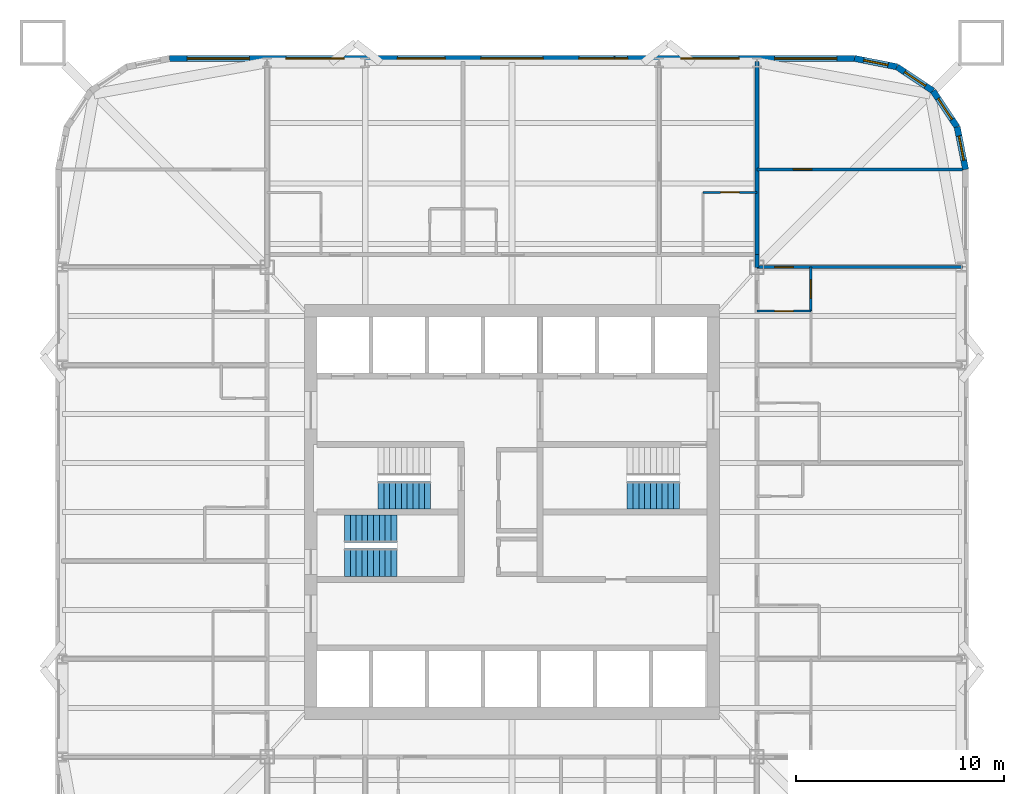
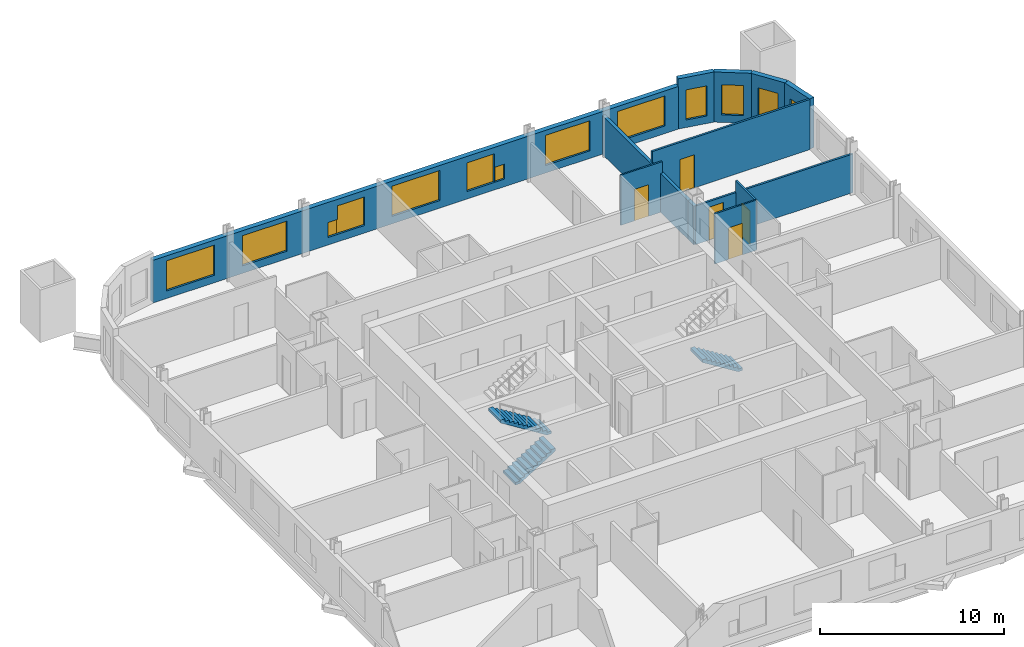
# One storey, part 8 of 10: 13 windows, 12 walls, 5 doors, 4 stair flights, 18 openings, 3 elements without a shape of their own.
"""IFC4 building model written with IfcOpenShell, lengths in metres."""

from ifc_helpers import new_model, si_unit, direction, frame, frame_2d, origin, place, context, subcontext, project, spatial, polyline, rectangle, outline, extrude, material, layer, layer_set, type_object, element, fill, aggregate, save


model = new_model("IFC4")

# Units and contexts
model_context = context("Model", 3, precision=1e-05, world=origin(), true_north=direction((0.0, 1.0)))
body_context = subcontext(model_context, "Body", "Model", "MODEL_VIEW")
ifc_project = project(units=[si_unit("LENGTHUNIT", "METRE"), si_unit("AREAUNIT", "SQUARE_METRE"), si_unit("VOLUMEUNIT", "CUBIC_METRE"), si_unit("PLANEANGLEUNIT", "RADIAN"), si_unit("MASSUNIT", "GRAM", prefix="KILO")], contexts=[model_context])

# Site, building, storey
site_placement = place(None, origin())
site = spatial("IfcSite", under=ifc_project, at=site_placement, CompositionType="ELEMENT")
building_placement = place(site_placement, origin())
building = spatial("IfcBuilding", under=site, at=building_placement, Name="Turquesa Mirador Hotel Tower", CompositionType="ELEMENT")
storey_placement = place(building_placement, frame((0.0, 0.0, 46.0)))
storey = spatial("IfcBuildingStorey", under=building, at=storey_placement, Name="L11", CompositionType="ELEMENT", Elevation=46.0)

# Wall, opening, door
ifc_material_1 = material(Name="Gypsum board on steel studs", Category="steel")
ifc_layer_1 = layer(ifc_material_1, 0.10009765625)
ifc_layer_set_1 = layer_set([ifc_layer_1], Name="BATHROOM WALL 100")
wall_type_1 = type_object("IfcWallType", Name="BATHROOM WALL 100", PredefinedType="PARTITIONING", material=ifc_layer_set_1)
wall_1_placement = place(storey_placement, frame((64.199951171875, 60.39990234375, 0.0), z_axis=(0.0, 0.0, 1.0), x_axis=(1.0, 0.0, 0.0)))
wall_1 = element("IfcWall", 1, at=wall_1_placement, inside=storey, type_object=wall_type_1, Name="Partition L11 026", PredefinedType="PARTITIONING", context=body_context, shape_type="SweptSolid", body=[
    extrude(rectangle(XDim=2.60009765625, YDim=0.10009765625, at=frame_2d((1.300048828125, 0.0))), origin(), (0.0, 0.0, 1.0), 3.330078125),
])
opening_1_placement = place(wall_1_placement, frame((0.85009765625, 0.0, 0.0)))
opening_1 = element("IfcOpeningElement", 2, at=opening_1_placement, cuts=wall_1, Name="Opening D02", PredefinedType="OPENING", context=body_context, shape_type="SweptSolid", body=[
    extrude(rectangle(XDim=0.89990234375, YDim=2.10009765625, at=frame_2d((0.449951171875, 1.050048828125))), frame((0.0, 0.06005859375, 0.0), z_axis=(0.0, -1.0, 0.0), x_axis=(1.0, 0.0, 0.0)), (0.0, 0.0, 1.0), 0.1201171875),
])
ifc_material_2 = material(Name="Timber veneered door", Category="wood")
door_type_1 = type_object("IfcDoorType", Name="DOOR 900X2100 EN-SUITE", OperationType="SINGLE_SWING_RIGHT", PredefinedType="DOOR", material=ifc_material_2)
door_1_placement = place(opening_1_placement, origin())
door_1 = element("IfcDoor", 3, at=door_1_placement, inside=storey, type_object=door_type_1, Name="Door 1102B", OperationType="SINGLE_SWING_RIGHT", OverallHeight=2.10009765625, OverallWidth=0.89990234375, PredefinedType="DOOR", context=body_context, shape_type="SweptSolid", body=[
    extrude(rectangle(XDim=0.89990234375, YDim=2.10009765625, at=frame_2d((0.449951171875, 1.050048828125))), frame((0.0, 0.02490234375, 0.0), z_axis=(0.0, -1.0, 0.0), x_axis=(1.0, 0.0, 0.0)), (0.0, 0.0, 1.0), 0.050048828125),
])
fill(opening_1, door_1)

wall_2_placement = place(storey_placement, frame((66.800048828125, 54.679931640625, 0.0), z_axis=(0.0, 0.0, 1.0), x_axis=(1.0, 0.0, 0.0)))
wall_2 = element("IfcWall", 4, at=wall_2_placement, inside=storey, type_object=wall_type_1, Name="Partition L11 035", PredefinedType="PARTITIONING", context=body_context, shape_type="SweptSolid", body=[
    extrude(rectangle(XDim=2.599853515625, YDim=0.10009765625, at=frame_2d((1.2998046875, 0.0))), origin(), (0.0, 0.0, 1.0), 3.330078125),
])
opening_2_placement = place(wall_2_placement, frame((0.85009765625, 0.0, 0.0)))
opening_2 = element("IfcOpeningElement", 5, at=opening_2_placement, cuts=wall_2, Name="Opening D02", PredefinedType="OPENING", context=body_context, shape_type="SweptSolid", body=[
    extrude(rectangle(XDim=0.89990234375, YDim=2.10009765625, at=frame_2d((0.449951171875, 1.050048828125))), frame((0.0, 0.06005859375, 0.0), z_axis=(0.0, -1.0, 0.0), x_axis=(1.0, 0.0, 0.0)), (0.0, 0.0, 1.0), 0.1201171875),
])
door_2_placement = place(opening_2_placement, origin())
door_2 = element("IfcDoor", 6, at=door_2_placement, inside=storey, type_object=door_type_1, Name="Door 1110B", OperationType="SINGLE_SWING_RIGHT", OverallHeight=2.10009765625, OverallWidth=0.89990234375, PredefinedType="DOOR", context=body_context, shape_type="SweptSolid", body=[
    extrude(rectangle(XDim=0.89990234375, YDim=2.10009765625, at=frame_2d((0.449951171875, 1.050048828125))), frame((0.0, 0.02490234375, 0.0), z_axis=(0.0, -1.0, 0.0), x_axis=(1.0, 0.0, 0.0)), (0.0, 0.0, 1.0), 0.050048828125),
])
fill(opening_2, door_2)

# Wall
ifc_material_3 = material(Name="Fire-rated gypsum board on steel studs", Category="steel")
ifc_layer_2 = layer(ifc_material_3, 0.199951171875)
ifc_layer_set_2 = layer_set([ifc_layer_2], Name="CORRIDOR WALL 200")
wall_type_2 = type_object("IfcWallType", Name="CORRIDOR WALL 200", PredefinedType="PARTITIONING", material=ifc_layer_set_2)
wall_3_placement = place(storey_placement, frame((66.800048828125, 56.780029296875, 0.0), z_axis=(0.0, 0.0, 1.0), x_axis=(0.0, 1.0, 0.0)))
element("IfcWall", 7, at=wall_3_placement, inside=storey, type_object=wall_type_2, Name="Partition L11 070", PredefinedType="PARTITIONING", context=body_context, shape_type="SweptSolid", body=[
    extrude(rectangle(XDim=0.619873046875, YDim=0.199951171875, at=frame_2d((0.31005859375, 0.0))), origin(), (0.0, 0.0, 1.0), 2.572998046875),
])

# Wall, opening, window
ifc_material_4 = material(Name="Limestone cladding on concrete block", Category="masonry")
ifc_layer_3 = layer(ifc_material_4, 0.300048828125)
ifc_layer_set_3 = layer_set([ifc_layer_3], Name="FACADE WALL 300 STONE SCREEN")
wall_type_3 = type_object("IfcWallType", Name="FACADE WALL 300 STONE SCREEN", PredefinedType="SOLIDWALL", material=ifc_layer_set_3)
wall_4_placement = place(storey_placement, frame((76.85009765625, 61.5, 0.0), z_axis=(0.0, 0.0, 1.0), x_axis=(-0.195081421501, 0.980787050784, 0.0)))
wall_4 = element("IfcWall", 8, at=wall_4_placement, inside=storey, type_object=wall_type_3, Name="Facade wall L11 05", PredefinedType="SOLIDWALL", context=body_context, shape_type="SweptSolid", body=[
    extrude(rectangle(XDim=2.08740234375, YDim=0.300048828125, at=frame_2d((1.043701171875, 0.0))), origin(), (0.0, 0.0, 1.0), 3.330078125),
])
opening_3_placement = place(wall_4_placement, frame((0.443603515625, 0.0, 0.5)))
opening_3 = element("IfcOpeningElement", 9, at=opening_3_placement, cuts=wall_4, Name="Opening WN4", PredefinedType="OPENING", context=body_context, shape_type="SweptSolid", body=[
    extrude(rectangle(XDim=1.199951171875, YDim=2.0, at=frame_2d((0.60009765625, 1.0))), frame((0.0, 0.159912109375, 0.0), z_axis=(0.0, -1.0, 0.0), x_axis=(1.0, 0.0, 0.0)), (0.0, 0.0, 1.0), 0.320068359375),
])
ifc_material_5 = material(Name="Ceramic-fritted laminated glass", Category="glass")
window_type_1 = type_object("IfcWindowType", Name="FRITTED CORNER WINDOW 1200X2000", PartitioningType="DOUBLE_PANEL_HORIZONTAL", PredefinedType="WINDOW", material=ifc_material_5)
window_1_placement = place(opening_3_placement, origin())
window_1 = element("IfcWindow", 10, at=window_1_placement, inside=storey, type_object=window_type_1, Name="Window L11", OverallHeight=2.0, OverallWidth=1.199951171875, PartitioningType="SINGLE_PANEL", PredefinedType="WINDOW", context=body_context, shape_type="SweptSolid", body=[
    extrude(rectangle(XDim=1.199951171875, YDim=2.0, at=frame_2d((0.60009765625, 1.0))), frame((0.0, 0.030029296875, 0.0), z_axis=(0.0, -1.0, 0.0), x_axis=(1.0, 0.0, 0.0)), (0.0, 0.0, 1.0), 0.06005859375),
])
fill(opening_3, window_1)

wall_5_placement = place(storey_placement, frame((76.44287109375, 63.54736328125, 0.0), z_axis=(0.0, 0.0, 1.0), x_axis=(-0.555644460423, 0.831420010345, 0.0)))
wall_5 = element("IfcWall", 11, at=wall_5_placement, inside=storey, type_object=wall_type_3, Name="Facade wall L11 06", PredefinedType="SOLIDWALL", context=body_context, shape_type="SweptSolid", body=[
    extrude(rectangle(XDim=2.08740234375, YDim=0.300048828125, at=frame_2d((1.043701171875, 0.0))), origin(), (0.0, 0.0, 1.0), 3.330078125),
])
opening_4_placement = place(wall_5_placement, frame((0.443603515625, 0.0, 0.5)))
opening_4 = element("IfcOpeningElement", 12, at=opening_4_placement, cuts=wall_5, Name="Opening WN4", PredefinedType="OPENING", context=body_context, shape_type="SweptSolid", body=[
    extrude(rectangle(XDim=1.199951171875, YDim=2.0, at=frame_2d((0.60009765625, 1.0))), frame((0.0, 0.159912109375, 0.0), z_axis=(0.0, -1.0, 0.0), x_axis=(1.0, 0.0, 0.0)), (0.0, 0.0, 1.0), 0.320068359375),
])
window_2_placement = place(opening_4_placement, origin())
window_2 = element("IfcWindow", 13, at=window_2_placement, inside=storey, type_object=window_type_1, Name="Window L11", OverallHeight=2.0, OverallWidth=1.199951171875, PartitioningType="SINGLE_PANEL", PredefinedType="WINDOW", context=body_context, shape_type="SweptSolid", body=[
    extrude(rectangle(XDim=1.199951171875, YDim=2.0, at=frame_2d((0.60009765625, 1.0))), frame((0.0, 0.030029296875, 0.0), z_axis=(0.0, -1.0, 0.0), x_axis=(1.0, 0.0, 0.0)), (0.0, 0.0, 1.0), 0.06005859375),
])
fill(opening_4, window_2)

wall_6_placement = place(storey_placement, frame((75.282958984375, 65.282958984375, 0.0), z_axis=(0.0, 0.0, 1.0), x_axis=(-0.831420010345, 0.555644460423, 0.0)))
wall_6 = element("IfcWall", 14, at=wall_6_placement, inside=storey, type_object=wall_type_3, Name="Facade wall L11 07", PredefinedType="SOLIDWALL", context=body_context, shape_type="SweptSolid", body=[
    extrude(rectangle(XDim=2.08740234375, YDim=0.300048828125, at=frame_2d((1.043701171875, 0.0))), origin(), (0.0, 0.0, 1.0), 3.330078125),
])
opening_5_placement = place(wall_6_placement, frame((0.443603515625, 0.0, 0.5)))
opening_5 = element("IfcOpeningElement", 15, at=opening_5_placement, cuts=wall_6, Name="Opening WN4", PredefinedType="OPENING", context=body_context, shape_type="SweptSolid", body=[
    extrude(rectangle(XDim=1.199951171875, YDim=2.0, at=frame_2d((0.60009765625, 1.0))), frame((0.0, 0.159912109375, 0.0), z_axis=(0.0, -1.0, 0.0), x_axis=(1.0, 0.0, 0.0)), (0.0, 0.0, 1.0), 0.320068359375),
])
window_3_placement = place(opening_5_placement, origin())
window_3 = element("IfcWindow", 16, at=window_3_placement, inside=storey, type_object=window_type_1, Name="Window L11", OverallHeight=2.0, OverallWidth=1.199951171875, PartitioningType="SINGLE_PANEL", PredefinedType="WINDOW", context=body_context, shape_type="SweptSolid", body=[
    extrude(rectangle(XDim=1.199951171875, YDim=2.0, at=frame_2d((0.60009765625, 1.0))), frame((0.0, 0.030029296875, 0.0), z_axis=(0.0, -1.0, 0.0), x_axis=(1.0, 0.0, 0.0)), (0.0, 0.0, 1.0), 0.06005859375),
])
fill(opening_5, window_3)

wall_7_placement = place(storey_placement, frame((73.54736328125, 66.44287109375, 0.0), z_axis=(0.0, 0.0, 1.0), x_axis=(-0.980787050784, 0.195081421501, 0.0)))
wall_7 = element("IfcWall", 17, at=wall_7_placement, inside=storey, type_object=wall_type_3, Name="Facade wall L11 08", PredefinedType="SOLIDWALL", context=body_context, shape_type="SweptSolid", body=[
    extrude(rectangle(XDim=2.08740234375, YDim=0.300048828125, at=frame_2d((1.043701171875, 0.0))), origin(), (0.0, 0.0, 1.0), 3.330078125),
])
opening_6_placement = place(wall_7_placement, frame((0.443603515625, 0.0, 0.5)))
opening_6 = element("IfcOpeningElement", 18, at=opening_6_placement, cuts=wall_7, Name="Opening WN4", PredefinedType="OPENING", context=body_context, shape_type="SweptSolid", body=[
    extrude(rectangle(XDim=1.199951171875, YDim=2.0, at=frame_2d((0.60009765625, 1.0))), frame((0.0, 0.159912109375, 0.0), z_axis=(0.0, -1.0, 0.0), x_axis=(1.0, 0.0, 0.0)), (0.0, 0.0, 1.0), 0.320068359375),
])
window_4_placement = place(opening_6_placement, origin())
window_4 = element("IfcWindow", 19, at=window_4_placement, inside=storey, type_object=window_type_1, Name="Window L11", OverallHeight=2.0, OverallWidth=1.199951171875, PartitioningType="SINGLE_PANEL", PredefinedType="WINDOW", context=body_context, shape_type="SweptSolid", body=[
    extrude(rectangle(XDim=1.199951171875, YDim=2.0, at=frame_2d((0.60009765625, 1.0))), frame((0.0, 0.030029296875, 0.0), z_axis=(0.0, -1.0, 0.0), x_axis=(1.0, 0.0, 0.0)), (0.0, 0.0, 1.0), 0.06005859375),
])
fill(opening_6, window_4)

# Wall, openings, windows
wall_8_placement = place(storey_placement, frame((71.5, 66.85009765625, 0.0), z_axis=(0.0, 0.0, 1.0), x_axis=(-1.0, 0.0, 0.0)))
wall_8 = element("IfcWall", 20, at=wall_8_placement, inside=storey, type_object=wall_type_3, Name="Facade wall L11 09", PredefinedType="SOLIDWALL", context=body_context, shape_type="SweptSolid", body=[
    extrude(rectangle(XDim=33.0, YDim=0.300048828125, at=frame_2d((16.5, 0.0))), origin(), (0.0, 0.0, 1.0), 2.830078125),
])
opening_7_placement = place(wall_8_placement, frame((0.85009765625, 0.0, 0.5)))
opening_7 = element("IfcOpeningElement", 21, at=opening_7_placement, cuts=wall_8, Name="Opening WN1", PredefinedType="OPENING", context=body_context, shape_type="SweptSolid", body=[
    extrude(rectangle(XDim=3.0, YDim=2.0, at=frame_2d((1.5, 1.0))), frame((0.0, 0.159912109375, 0.0), z_axis=(0.0, -1.0, 0.0), x_axis=(1.0, 0.0, 0.0)), (0.0, 0.0, 1.0), 0.320068359375),
])
opening_8_placement = place(wall_8_placement, frame((5.56005859375, 0.0, 0.5)))
opening_8 = element("IfcOpeningElement", 22, at=opening_8_placement, cuts=wall_8, Name="Opening WN53", PredefinedType="OPENING", context=body_context, shape_type="SweptSolid", body=[
    extrude(rectangle(XDim=2.800048828125, YDim=2.0, at=frame_2d((1.39990234375, 1.0))), frame((0.0, 0.159912109375, 0.0), z_axis=(0.0, -1.0, 0.0), x_axis=(1.0, 0.0, 0.0)), (0.0, 0.0, 1.0), 0.320068359375),
])
opening_9_placement = place(wall_8_placement, frame((11.580078125, 0.0, 0.5)))
opening_9 = element("IfcOpeningElement", 23, at=opening_9_placement, cuts=wall_8, Name="Opening WN46", PredefinedType="OPENING", context=body_context, shape_type="SweptSolid", body=[
    extrude(rectangle(XDim=1.699951171875, YDim=1.89990234375, at=frame_2d((0.85009765625, 0.949951171875))), frame((0.0, 0.159912109375, 0.0), z_axis=(0.0, -1.0, 0.0), x_axis=(1.0, 0.0, 0.0)), (0.0, 0.0, 1.0), 0.320068359375),
])
opening_10_placement = place(wall_8_placement, frame((15.0, 0.0, 0.5)))
opening_10 = element("IfcOpeningElement", 24, at=opening_10_placement, cuts=wall_8, Name="Opening WN1", PredefinedType="OPENING", context=body_context, shape_type="SweptSolid", body=[
    extrude(rectangle(XDim=3.0, YDim=2.0, at=frame_2d((1.5, 1.0))), frame((0.0, 0.159912109375, 0.0), z_axis=(0.0, -1.0, 0.0), x_axis=(1.0, 0.0, 0.0)), (0.0, 0.0, 1.0), 0.320068359375),
])
opening_11_placement = place(wall_8_placement, frame((19.719970703125, 0.0, 0.5)))
opening_11 = element("IfcOpeningElement", 25, at=opening_11_placement, cuts=wall_8, Name="Opening WN46", PredefinedType="OPENING", context=body_context, shape_type="SweptSolid", body=[
    extrude(rectangle(XDim=1.699951171875, YDim=1.89990234375, at=frame_2d((0.85009765625, 0.949951171875))), frame((0.0, 0.159912109375, 0.0), z_axis=(0.0, -1.0, 0.0), x_axis=(1.0, 0.0, 0.0)), (0.0, 0.0, 1.0), 0.320068359375),
])
opening_12_placement = place(wall_8_placement, frame((24.590087890625, 0.0, 0.5)))
opening_12 = element("IfcOpeningElement", 26, at=opening_12_placement, cuts=wall_8, Name="Opening WN53", PredefinedType="OPENING", context=body_context, shape_type="SweptSolid", body=[
    extrude(rectangle(XDim=2.800048828125, YDim=2.0, at=frame_2d((1.39990234375, 1.0))), frame((0.0, 0.159912109375, 0.0), z_axis=(0.0, -1.0, 0.0), x_axis=(1.0, 0.0, 0.0)), (0.0, 0.0, 1.0), 0.320068359375),
])
opening_13_placement = place(wall_8_placement, frame((29.14990234375, 0.0, 0.5)))
opening_13 = element("IfcOpeningElement", 27, at=opening_13_placement, cuts=wall_8, Name="Opening WN1", PredefinedType="OPENING", context=body_context, shape_type="SweptSolid", body=[
    extrude(rectangle(XDim=3.0, YDim=2.0, at=frame_2d((1.5, 1.0))), frame((0.0, 0.159912109375, 0.0), z_axis=(0.0, -1.0, 0.0), x_axis=(1.0, 0.0, 0.0)), (0.0, 0.0, 1.0), 0.320068359375),
])
opening_14_placement = place(wall_8_placement, frame((10.929931640625, 0.0, 0.5)))
opening_14 = element("IfcOpeningElement", 28, at=opening_14_placement, cuts=wall_8, Name="Opening WN29", PredefinedType="OPENING", context=body_context, shape_type="SweptSolid", body=[
    extrude(rectangle(XDim=0.60009765625, YDim=1.0, at=frame_2d((0.300048828125, 0.5))), frame((0.0, 0.159912109375, 0.0), z_axis=(0.0, -1.0, 0.0), x_axis=(1.0, 0.0, 0.0)), (0.0, 0.0, 1.0), 0.320068359375),
])
opening_15_placement = place(wall_8_placement, frame((21.419921875, 0.0, 0.5)))
opening_15 = element("IfcOpeningElement", 29, at=opening_15_placement, cuts=wall_8, Name="Opening WN29", PredefinedType="OPENING", context=body_context, shape_type="SweptSolid", body=[
    extrude(rectangle(XDim=0.60009765625, YDim=1.0, at=frame_2d((0.300048828125, 0.5))), frame((0.0, 0.159912109375, 0.0), z_axis=(0.0, -1.0, 0.0), x_axis=(1.0, 0.0, 0.0)), (0.0, 0.0, 1.0), 0.320068359375),
])
ifc_material_6 = material(Name="Ceramic-fritted laminated glass", Category="glass")
window_type_2 = type_object("IfcWindowType", Name="FRITTED WINDOW 1700X1900", PartitioningType="DOUBLE_PANEL_HORIZONTAL", PredefinedType="WINDOW", material=ifc_material_6)
window_5_placement = place(opening_9_placement, origin())
window_5 = element("IfcWindow", 30, at=window_5_placement, inside=storey, type_object=window_type_2, Name="Window L11", OverallHeight=1.89990234375, OverallWidth=1.699951171875, PartitioningType="SINGLE_PANEL", PredefinedType="WINDOW", context=body_context, shape_type="SweptSolid", body=[
    extrude(rectangle(XDim=1.699951171875, YDim=1.89990234375, at=frame_2d((0.85009765625, 0.949951171875))), frame((0.0, 0.030029296875, 0.0), z_axis=(0.0, -1.0, 0.0), x_axis=(1.0, 0.0, 0.0)), (0.0, 0.0, 1.0), 0.06005859375),
])
fill(opening_9, window_5)
window_6_placement = place(opening_11_placement, origin())
window_6 = element("IfcWindow", 31, at=window_6_placement, inside=storey, type_object=window_type_2, Name="Window L11", OverallHeight=1.89990234375, OverallWidth=1.699951171875, PartitioningType="SINGLE_PANEL", PredefinedType="WINDOW", context=body_context, shape_type="SweptSolid", body=[
    extrude(rectangle(XDim=1.699951171875, YDim=1.89990234375, at=frame_2d((0.85009765625, 0.949951171875))), frame((0.0, 0.030029296875, 0.0), z_axis=(0.0, -1.0, 0.0), x_axis=(1.0, 0.0, 0.0)), (0.0, 0.0, 1.0), 0.06005859375),
])
fill(opening_11, window_6)
ifc_material_7 = material(Name="Ceramic-fritted laminated glass", Category="glass")
window_type_3 = type_object("IfcWindowType", Name="FRITTED WINDOW 2800X2000", PartitioningType="DOUBLE_PANEL_HORIZONTAL", PredefinedType="WINDOW", material=ifc_material_7)
window_7_placement = place(opening_8_placement, origin())
window_7 = element("IfcWindow", 32, at=window_7_placement, inside=storey, type_object=window_type_3, Name="Window L11", OverallHeight=2.0, OverallWidth=2.800048828125, PartitioningType="SINGLE_PANEL", PredefinedType="WINDOW", context=body_context, shape_type="SweptSolid", body=[
    extrude(rectangle(XDim=2.800048828125, YDim=2.0, at=frame_2d((1.39990234375, 1.0))), frame((0.0, 0.030029296875, 0.0), z_axis=(0.0, -1.0, 0.0), x_axis=(1.0, 0.0, 0.0)), (0.0, 0.0, 1.0), 0.06005859375),
])
fill(opening_8, window_7)
window_8_placement = place(opening_12_placement, origin())
window_8 = element("IfcWindow", 33, at=window_8_placement, inside=storey, type_object=window_type_3, Name="Window L11", OverallHeight=2.0, OverallWidth=2.800048828125, PartitioningType="SINGLE_PANEL", PredefinedType="WINDOW", context=body_context, shape_type="SweptSolid", body=[
    extrude(rectangle(XDim=2.800048828125, YDim=2.0, at=frame_2d((1.39990234375, 1.0))), frame((0.0, 0.030029296875, 0.0), z_axis=(0.0, -1.0, 0.0), x_axis=(1.0, 0.0, 0.0)), (0.0, 0.0, 1.0), 0.06005859375),
])
fill(opening_12, window_8)
ifc_material_8 = material(Name="Ceramic-fritted laminated glass", Category="glass")
window_type_4 = type_object("IfcWindowType", Name="FRITTED WINDOW 3000X2000", PartitioningType="DOUBLE_PANEL_HORIZONTAL", PredefinedType="WINDOW", material=ifc_material_8)
window_9_placement = place(opening_7_placement, origin())
window_9 = element("IfcWindow", 34, at=window_9_placement, inside=storey, type_object=window_type_4, Name="Window L11", OverallHeight=2.0, OverallWidth=3.0, PartitioningType="SINGLE_PANEL", PredefinedType="WINDOW", context=body_context, shape_type="SweptSolid", body=[
    extrude(rectangle(XDim=3.0, YDim=2.0, at=frame_2d((1.5, 1.0))), frame((0.0, 0.030029296875, 0.0), z_axis=(0.0, -1.0, 0.0), x_axis=(1.0, 0.0, 0.0)), (0.0, 0.0, 1.0), 0.06005859375),
])
fill(opening_7, window_9)
window_10_placement = place(opening_10_placement, origin())
window_10 = element("IfcWindow", 35, at=window_10_placement, inside=storey, type_object=window_type_4, Name="Window L11", OverallHeight=2.0, OverallWidth=3.0, PartitioningType="SINGLE_PANEL", PredefinedType="WINDOW", context=body_context, shape_type="SweptSolid", body=[
    extrude(rectangle(XDim=3.0, YDim=2.0, at=frame_2d((1.5, 1.0))), frame((0.0, 0.030029296875, 0.0), z_axis=(0.0, -1.0, 0.0), x_axis=(1.0, 0.0, 0.0)), (0.0, 0.0, 1.0), 0.06005859375),
])
fill(opening_10, window_10)
window_11_placement = place(opening_13_placement, origin())
window_11 = element("IfcWindow", 36, at=window_11_placement, inside=storey, type_object=window_type_4, Name="Window L11", OverallHeight=2.0, OverallWidth=3.0, PartitioningType="SINGLE_PANEL", PredefinedType="WINDOW", context=body_context, shape_type="SweptSolid", body=[
    extrude(rectangle(XDim=3.0, YDim=2.0, at=frame_2d((1.5, 1.0))), frame((0.0, 0.030029296875, 0.0), z_axis=(0.0, -1.0, 0.0), x_axis=(1.0, 0.0, 0.0)), (0.0, 0.0, 1.0), 0.06005859375),
])
fill(opening_13, window_11)
ifc_material_9 = material(Name="Ceramic-fritted laminated glass", Category="glass")
window_type_5 = type_object("IfcWindowType", Name="FRITTED WINDOW 600X1000", PartitioningType="DOUBLE_PANEL_HORIZONTAL", PredefinedType="WINDOW", material=ifc_material_9)
window_12_placement = place(opening_14_placement, origin())
window_12 = element("IfcWindow", 37, at=window_12_placement, inside=storey, type_object=window_type_5, Name="Window L11", OverallHeight=1.0, OverallWidth=0.60009765625, PartitioningType="SINGLE_PANEL", PredefinedType="WINDOW", context=body_context, shape_type="SweptSolid", body=[
    extrude(rectangle(XDim=0.60009765625, YDim=1.0, at=frame_2d((0.300048828125, 0.5))), frame((0.0, 0.030029296875, 0.0), z_axis=(0.0, -1.0, 0.0), x_axis=(1.0, 0.0, 0.0)), (0.0, 0.0, 1.0), 0.06005859375),
])
fill(opening_14, window_12)
window_13_placement = place(opening_15_placement, origin())
window_13 = element("IfcWindow", 38, at=window_13_placement, inside=storey, type_object=window_type_5, Name="Window L11", OverallHeight=1.0, OverallWidth=0.60009765625, PartitioningType="SINGLE_PANEL", PredefinedType="WINDOW", context=body_context, shape_type="SweptSolid", body=[
    extrude(rectangle(XDim=0.60009765625, YDim=1.0, at=frame_2d((0.300048828125, 0.5))), frame((0.0, 0.030029296875, 0.0), z_axis=(0.0, -1.0, 0.0), x_axis=(1.0, 0.0, 0.0)), (0.0, 0.0, 1.0), 0.06005859375),
])
fill(opening_15, window_13)

# Wall
ifc_material_10 = material(Name="Fire-rated gypsum board on steel studs", Category="steel")
ifc_layer_4 = layer(ifc_material_10, 0.199951171875)
ifc_layer_set_4 = layer_set([ifc_layer_4], Name="PARTY WALL 200")
wall_type_4 = type_object("IfcWallType", Name="PARTY WALL 200", PredefinedType="PARTITIONING", material=ifc_layer_set_4)
wall_9_placement = place(storey_placement, frame((66.800048828125, 57.39990234375, 0.0), z_axis=(0.0, 0.0, 1.0), x_axis=(0.0, 1.0, 0.0)))
element("IfcWall", 39, at=wall_9_placement, inside=storey, type_object=wall_type_4, Name="Partition L11 054", PredefinedType="PARTITIONING", context=body_context, shape_type="SweptSolid", body=[
    extrude(rectangle(XDim=9.300048828125, YDim=0.199951171875, at=frame_2d((4.64990234375, 0.0))), origin(), (0.0, 0.0, 1.0), 2.572998046875),
])

# Wall, opening, door
ifc_material_11 = material(Name="Acoustic gypsum board on steel studs", Category="steel")
ifc_layer_5 = layer(ifc_material_11, 0.125)
ifc_layer_set_5 = layer_set([ifc_layer_5], Name="SUITE PARTITION 125")
wall_type_5 = type_object("IfcWallType", Name="SUITE PARTITION 125", PredefinedType="PARTITIONING", material=ifc_layer_set_5)
wall_10_placement = place(storey_placement, frame((66.800048828125, 56.800048828125, 0.0), z_axis=(0.0, 0.0, 1.0), x_axis=(1.0, 0.0, 0.0)))
wall_10 = element("IfcWall", 40, at=wall_10_placement, inside=storey, type_object=wall_type_5, Name="Partition L11 021", PredefinedType="PARTITIONING", context=body_context, shape_type="SweptSolid", body=[
    extrude(rectangle(XDim=9.89990234375, YDim=0.125, at=frame_2d((4.949951171875, 0.0))), origin(), (0.0, 0.0, 1.0), 2.572998046875),
])
opening_16_placement = place(wall_10_placement, frame((0.85009765625, 0.0, 0.0)))
opening_16 = element("IfcOpeningElement", 41, at=opening_16_placement, cuts=wall_10, Name="Opening D17", PredefinedType="OPENING", context=body_context, shape_type="SweptSolid", body=[
    extrude(rectangle(XDim=0.89990234375, YDim=2.199951171875, at=frame_2d((0.449951171875, 1.10009765625))), frame((0.0, 0.072509765625, 0.0), z_axis=(0.0, -1.0, 0.0), x_axis=(1.0, 0.0, 0.0)), (0.0, 0.0, 1.0), 0.14501953125),
])
ifc_material_12 = material(Name="Timber veneered door", Category="wood")
door_type_2 = type_object("IfcDoorType", Name="DOOR 900X2200 SUITE INTERNAL", OperationType="SINGLE_SWING_LEFT", PredefinedType="DOOR", material=ifc_material_12)
door_3_placement = place(opening_16_placement, origin())
door_3 = element("IfcDoor", 42, at=door_3_placement, inside=storey, type_object=door_type_2, Name="Door 1110", OperationType="SINGLE_SWING_LEFT", OverallHeight=2.199951171875, OverallWidth=0.89990234375, PredefinedType="DOOR", context=body_context, shape_type="SweptSolid", body=[
    extrude(rectangle(XDim=0.89990234375, YDim=2.199951171875, at=frame_2d((0.449951171875, 1.10009765625))), frame((0.0, 0.02490234375, 0.0), z_axis=(0.0, -1.0, 0.0), x_axis=(1.0, 0.0, 0.0)), (0.0, 0.0, 1.0), 0.050048828125),
])
fill(opening_16, door_3)

wall_11_placement = place(storey_placement, frame((66.800048828125, 61.5, 0.0), z_axis=(0.0, 0.0, 1.0), x_axis=(1.0, 0.0, 0.0)))
wall_11 = element("IfcWall", 43, at=wall_11_placement, inside=storey, type_object=wall_type_5, Name="Partition L11 028", PredefinedType="PARTITIONING", context=body_context, shape_type="SweptSolid", body=[
    extrude(rectangle(XDim=9.89404296875, YDim=0.125, at=frame_2d((4.947021484375, 0.0))), origin(), (0.0, 0.0, 1.0), 3.330078125),
])
opening_17_placement = place(wall_11_placement, frame((1.75, 0.0, 0.0)))
opening_17 = element("IfcOpeningElement", 44, at=opening_17_placement, cuts=wall_11, Name="Opening D17", PredefinedType="OPENING", context=body_context, shape_type="SweptSolid", body=[
    extrude(rectangle(XDim=0.89990234375, YDim=2.199951171875, at=frame_2d((0.449951171875, 1.10009765625))), frame((0.0, 0.072509765625, 0.0), z_axis=(0.0, -1.0, 0.0), x_axis=(1.0, 0.0, 0.0)), (0.0, 0.0, 1.0), 0.14501953125),
])
door_4_placement = place(opening_17_placement, origin())
door_4 = element("IfcDoor", 45, at=door_4_placement, inside=storey, type_object=door_type_2, Name="Door 1110M", OperationType="SINGLE_SWING_LEFT", OverallHeight=2.199951171875, OverallWidth=0.89990234375, PredefinedType="DOOR", context=body_context, shape_type="SweptSolid", body=[
    extrude(rectangle(XDim=0.89990234375, YDim=2.199951171875, at=frame_2d((0.449951171875, 1.10009765625))), frame((0.0, 0.02490234375, 0.0), z_axis=(0.0, -1.0, 0.0), x_axis=(1.0, 0.0, 0.0)), (0.0, 0.0, 1.0), 0.050048828125),
])
fill(opening_17, door_4)

wall_12_placement = place(storey_placement, frame((69.39990234375, 54.679931640625, 0.0), z_axis=(0.0, 0.0, 1.0), x_axis=(0.0, 1.0, 0.0)))
wall_12 = element("IfcWall", 46, at=wall_12_placement, inside=storey, type_object=wall_type_5, Name="Partition L11 059", PredefinedType="PARTITIONING", context=body_context, shape_type="SweptSolid", body=[
    extrude(rectangle(XDim=2.1201171875, YDim=0.125, at=frame_2d((1.06005859375, 0.0))), origin(), (0.0, 0.0, 1.0), 3.330078125),
])
opening_18_placement = place(wall_12_placement, frame((0.610107421875, 0.0, 0.0)))
opening_18 = element("IfcOpeningElement", 47, at=opening_18_placement, cuts=wall_12, Name="Opening D17", PredefinedType="OPENING", context=body_context, shape_type="SweptSolid", body=[
    extrude(rectangle(XDim=0.89990234375, YDim=2.199951171875, at=frame_2d((0.449951171875, 1.10009765625))), frame((0.0, 0.072509765625, 0.0), z_axis=(0.0, -1.0, 0.0), x_axis=(1.0, 0.0, 0.0)), (0.0, 0.0, 1.0), 0.14501953125),
])
door_5_placement = place(opening_18_placement, origin())
door_5 = element("IfcDoor", 48, at=door_5_placement, inside=storey, type_object=door_type_2, Name="Door 1110R", OperationType="SINGLE_SWING_LEFT", OverallHeight=2.199951171875, OverallWidth=0.89990234375, PredefinedType="DOOR", context=body_context, shape_type="SweptSolid", body=[
    extrude(rectangle(XDim=0.89990234375, YDim=2.199951171875, at=frame_2d((0.449951171875, 1.10009765625))), frame((0.0, 0.02490234375, 0.0), z_axis=(0.0, -1.0, 0.0), x_axis=(1.0, 0.0, 0.0)), (0.0, 0.0, 1.0), 0.050048828125),
])
fill(opening_18, door_5)

# Stair, stair flight
ifc_material_13 = material(Name="Concrete C35/45", Category="concrete")
stair_type = type_object("IfcStairType", Name="ESCAPE STAIR CORE", PredefinedType="HALF_TURN_STAIR", material=ifc_material_13)
stair_1_placement = place(storey_placement, origin())
stair_1 = element("IfcStair", 49, at=stair_1_placement, inside=storey, type_object=stair_type, Name="Stair ST1 L11 to L12", PredefinedType="HALF_TURN_STAIR")
ifc_material_14 = material(Name="Concrete C35/45 precast flight", Category="concrete")
stair_flight_type = type_object("IfcStairFlightType", Name="STAIR FLIGHT 1330", PredefinedType="STRAIGHT", material=ifc_material_14)
stair_flight_1_placement = place(storey_placement, frame((51.070068359375, 45.81494140625, 0.0), z_axis=(0.0, 0.0, 1.0), x_axis=(-1.0, 0.0, 0.0)))
stair_flight_1 = element("IfcStairFlight", 50, at=stair_flight_1_placement, type_object=stair_flight_type, Name="ST1 flight 1", NumberOfRisers=10, NumberOfTreads=9, PredefinedType="STRAIGHT", RiserHeight=0.175, TreadLength=0.28, context=body_context, shape_type="SweptSolid", body=[
    extrude(outline(polyline([(0.0, 0.0), (0.0, 0.175048828125), (0.280029296875, 0.175048828125), (0.280029296875, 0.35009765625), (0.56005859375, 0.35009765625), (0.56005859375, 0.52490234375), (0.840087890625, 0.52490234375), (0.840087890625, 0.699951171875), (1.1201171875, 0.699951171875), (1.1201171875, 0.875), (1.39990234375, 0.875), (1.39990234375, 1.050048828125), (1.679931640625, 1.050048828125), (1.679931640625, 1.22509765625), (1.9599609375, 1.22509765625), (1.9599609375, 1.39990234375), (2.239990234375, 1.39990234375), (2.239990234375, 1.574951171875), (2.52001953125, 1.574951171875), (2.52001953125, 1.75), (2.52001953125, 1.398193359375), (0.28271484375, 0.0), (0.0, 0.0)])), frame((0.0, 0.6650390625, 0.0), z_axis=(0.0, -1.0, 0.0), x_axis=(1.0, 0.0, 0.0)), (0.0, 0.0, 1.0), 1.330078125),
])
aggregate(stair_1, [stair_flight_1])

# Stair, stair flights
stair_2_placement = place(storey_placement, origin())
stair_2 = element("IfcStair", 51, at=stair_2_placement, inside=storey, type_object=stair_type, Name="Stair ST2 L11 to L12", PredefinedType="HALF_TURN_STAIR")
stair_flight_2_placement = place(storey_placement, frame((46.929931640625, 42.56494140625, 0.0), z_axis=(0.0, 0.0, 1.0), x_axis=(1.0, 0.0, 0.0)))
stair_flight_2 = element("IfcStairFlight", 52, at=stair_flight_2_placement, type_object=stair_flight_type, Name="ST2 flight 1", NumberOfRisers=10, NumberOfTreads=9, PredefinedType="STRAIGHT", RiserHeight=0.175, TreadLength=0.28, context=body_context, shape_type="SweptSolid", body=[
    extrude(outline(polyline([(0.0, 0.0), (0.0, 0.175048828125), (0.280029296875, 0.175048828125), (0.280029296875, 0.35009765625), (0.56005859375, 0.35009765625), (0.56005859375, 0.52490234375), (0.840087890625, 0.52490234375), (0.840087890625, 0.699951171875), (1.1201171875, 0.699951171875), (1.1201171875, 0.875), (1.39990234375, 0.875), (1.39990234375, 1.050048828125), (1.679931640625, 1.050048828125), (1.679931640625, 1.22509765625), (1.9599609375, 1.22509765625), (1.9599609375, 1.39990234375), (2.239990234375, 1.39990234375), (2.239990234375, 1.574951171875), (2.52001953125, 1.574951171875), (2.52001953125, 1.75), (2.52001953125, 1.398193359375), (0.28271484375, 0.0), (0.0, 0.0)])), frame((0.0, 0.6650390625, 0.0), z_axis=(0.0, -1.0, 0.0), x_axis=(1.0, 0.0, 0.0)), (0.0, 0.0, 1.0), 1.330078125),
])
stair_flight_3_placement = place(storey_placement, frame((49.449951171875, 44.18505859375, 1.75), z_axis=(0.0, 0.0, 1.0), x_axis=(-1.0, 0.0, 0.0)))
stair_flight_3 = element("IfcStairFlight", 53, at=stair_flight_3_placement, type_object=stair_flight_type, Name="ST2 flight 2", NumberOfRisers=10, NumberOfTreads=9, PredefinedType="STRAIGHT", RiserHeight=0.175, TreadLength=0.28, context=body_context, shape_type="SweptSolid", body=[
    extrude(outline(polyline([(0.0, 0.0), (0.0, 0.175048828125), (0.280029296875, 0.175048828125), (0.280029296875, 0.35009765625), (0.56005859375, 0.35009765625), (0.56005859375, 0.52490234375), (0.840087890625, 0.52490234375), (0.840087890625, 0.699951171875), (1.1201171875, 0.699951171875), (1.1201171875, 0.875), (1.39990234375, 0.875), (1.39990234375, 1.050048828125), (1.679931640625, 1.050048828125), (1.679931640625, 1.22509765625), (1.9599609375, 1.22509765625), (1.9599609375, 1.39990234375), (2.239990234375, 1.39990234375), (2.239990234375, 1.574951171875), (2.52001953125, 1.574951171875), (2.52001953125, 1.75), (2.52001953125, 1.398193359375), (0.28271484375, 0.0), (0.0, 0.0)])), frame((0.0, 0.6650390625, 0.0), z_axis=(0.0, -1.0, 0.0), x_axis=(1.0, 0.0, 0.0)), (0.0, 0.0, 1.0), 1.330078125),
])
aggregate(stair_2, [stair_flight_2, stair_flight_3])

# Stair, stair flight
stair_3_placement = place(storey_placement, origin())
stair_3 = element("IfcStair", 54, at=stair_3_placement, inside=storey, type_object=stair_type, Name="Stair ST3 L11 to L12", PredefinedType="HALF_TURN_STAIR")
stair_flight_4_placement = place(storey_placement, frame((63.070068359375, 45.81494140625, 0.0), z_axis=(0.0, 0.0, 1.0), x_axis=(-1.0, 0.0, 0.0)))
stair_flight_4 = element("IfcStairFlight", 55, at=stair_flight_4_placement, type_object=stair_flight_type, Name="ST3 flight 1", NumberOfRisers=10, NumberOfTreads=9, PredefinedType="STRAIGHT", RiserHeight=0.175, TreadLength=0.28, context=body_context, shape_type="SweptSolid", body=[
    extrude(outline(polyline([(0.0, 0.0), (0.0, 0.175048828125), (0.280029296875, 0.175048828125), (0.280029296875, 0.35009765625), (0.56005859375, 0.35009765625), (0.56005859375, 0.52490234375), (0.840087890625, 0.52490234375), (0.840087890625, 0.699951171875), (1.1201171875, 0.699951171875), (1.1201171875, 0.875), (1.39990234375, 0.875), (1.39990234375, 1.050048828125), (1.679931640625, 1.050048828125), (1.679931640625, 1.22509765625), (1.9599609375, 1.22509765625), (1.9599609375, 1.39990234375), (2.239990234375, 1.39990234375), (2.239990234375, 1.574951171875), (2.52001953125, 1.574951171875), (2.52001953125, 1.75), (2.52001953125, 1.398193359375), (0.28271484375, 0.0), (0.0, 0.0)])), frame((0.0, 0.6650390625, 0.0), z_axis=(0.0, -1.0, 0.0), x_axis=(1.0, 0.0, 0.0)), (0.0, 0.0, 1.0), 1.330078125),
])
aggregate(stair_3, [stair_flight_4])

save(model, "model.ifc")
